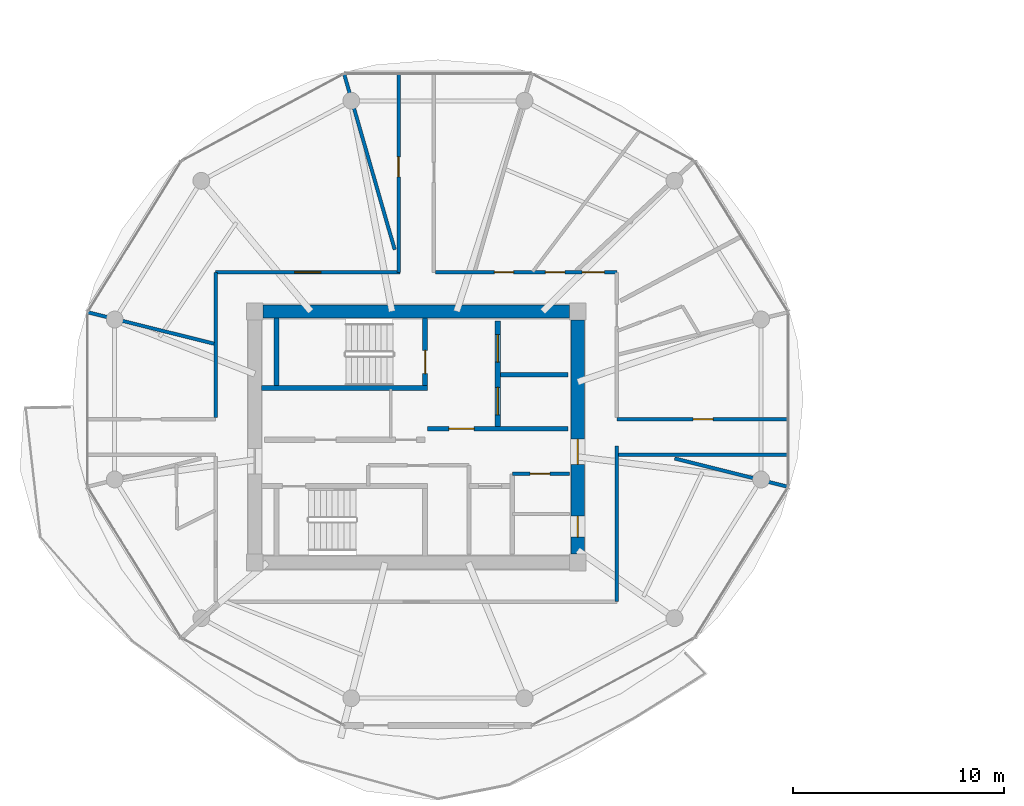
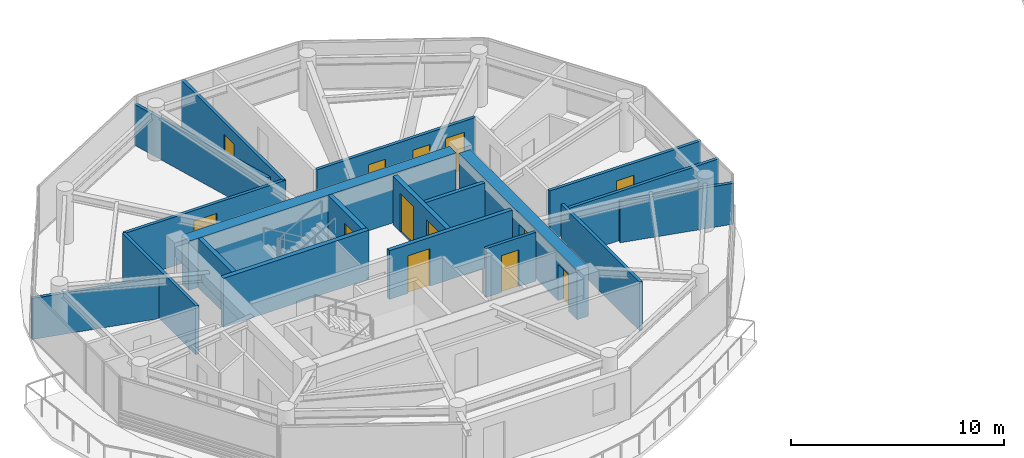
# One storey, part 13 of 22: 19 walls, 13 doors, 13 openings.
"""IFC4 building model written with IfcOpenShell, lengths in metres."""

from ifc_helpers import new_model, si_unit, direction, frame, frame_2d, origin, place, context, subcontext, project, spatial, rectangle, extrude, source, transform, mapped, material, layer, layer_set, type_object, type_shapes, element, fill, save


model = new_model("IFC4")

# Units and contexts
model_context = context("Model", 3, precision=1e-05, world=origin(), true_north=direction((0.0, 1.0)))
body_context = subcontext(model_context, "Body", "Model", "MODEL_VIEW")
ifc_project = project(units=[si_unit("LENGTHUNIT", "METRE"), si_unit("AREAUNIT", "SQUARE_METRE"), si_unit("VOLUMEUNIT", "CUBIC_METRE"), si_unit("PLANEANGLEUNIT", "RADIAN"), si_unit("MASSUNIT", "GRAM", prefix="KILO")], contexts=[model_context])

# Site, building, storey
site_placement = place(None, origin())
site = spatial("IfcSite", under=ifc_project, at=site_placement, CompositionType="ELEMENT")
building_placement = place(site_placement, origin())
building = spatial("IfcBuilding", under=site, at=building_placement, Name="Norrkilde Senior Care Towers", CompositionType="ELEMENT")
storey_placement = place(building_placement, frame((0.0, 0.0, 167.85009765625)))
storey = spatial("IfcBuildingStorey", under=building, at=storey_placement, Name="L52", CompositionType="ELEMENT", Elevation=167.85009765625)

# Wall
ifc_material_1 = material(Name="Concrete C50/60", Category="concrete")
ifc_layer_1 = layer(ifc_material_1, 0.6201171875)
ifc_layer_set_1 = layer_set([ifc_layer_1], Name="Concrete C50/60")
wall_type_1 = type_object("IfcWallType", Name="Core Shear Wall Z3 620", PredefinedType="SHEAR", material=ifc_layer_set_1)
shared_shape_1 = source(origin(), body_context, "Body", "SweptSolid", [
    extrude(rectangle(XDim=14.5, YDim=0.6201171875, at=frame_2d((7.25, 0.0))), origin(), (0.0, 0.0, 1.0), 2.809814453125),
])
wall_1_placement = place(storey_placement, frame((-35.25, 5.949951171875, 0.0), z_axis=(0.0, 0.0, 1.0), x_axis=(1.0, 0.0, 0.0)))
element("IfcWall", 1, at=wall_1_placement, inside=storey, type_object=wall_type_1, Name="L52 Core W North Shear Wall", PredefinedType="SHEAR", context=body_context, shape_type="MappedRepresentation", body=[
    mapped(shared_shape_1, transform((0.0, 0.0, 0.0), x_axis=(1.0, 0.0, 0.0), y_axis=(0.0, 1.0, 0.0), z_axis=(0.0, 0.0, 1.0), scale=1.0)),
])

# Wall, openings, doors
shared_shape_2 = source(origin(), body_context, "Body", "SweptSolid", [
    extrude(rectangle(XDim=11.10009765625, YDim=0.6201171875, at=frame_2d((5.550048828125, 0.0))), origin(), (0.0, 0.0, 1.0), 2.809814453125),
])
type_shapes(wall_type_1, [shared_shape_1, shared_shape_2])
wall_2_placement = place(storey_placement, frame((-20.35009765625, 5.550048828125, 0.0), z_axis=(0.0, 0.0, 1.0), x_axis=(0.0, -1.0, 0.0)))
wall_2 = element("IfcWall", 2, at=wall_2_placement, inside=storey, type_object=wall_type_1, Name="L52 Core W East Shear Wall", PredefinedType="SHEAR", context=body_context, shape_type="MappedRepresentation", body=[
    mapped(shared_shape_2, transform((0.0, 0.0, 0.0), x_axis=(1.0, 0.0, 0.0), y_axis=(0.0, 1.0, 0.0), z_axis=(0.0, 0.0, 1.0), scale=1.0)),
])
opening_1_placement = place(wall_2_placement, frame((5.64990234375, 0.0, 0.0)))
opening_1 = element("IfcOpeningElement", 3, at=opening_1_placement, cuts=wall_2, Name="Opening D-04", PredefinedType="OPENING", context=body_context, shape_type="SweptSolid", body=[
    extrude(rectangle(XDim=1.199951171875, YDim=2.14990234375, at=frame_2d((0.60009765625, 1.074951171875))), frame((0.0, 0.320068359375, 0.0), z_axis=(0.0, -1.0, 0.0), x_axis=(1.0, 0.0, 0.0)), (0.0, 0.0, 1.0), 0.64013671875),
])
opening_2_placement = place(wall_2_placement, frame((9.300048828125, 0.0, 0.0)))
opening_2 = element("IfcOpeningElement", 4, at=opening_2_placement, cuts=wall_2, Name="Opening D-10", PredefinedType="OPENING", context=body_context, shape_type="SweptSolid", body=[
    extrude(rectangle(XDim=1.0, YDim=2.10009765625, at=frame_2d((0.5, 1.050048828125))), frame((0.0, 0.320068359375, 0.0), z_axis=(0.0, -1.0, 0.0), x_axis=(1.0, 0.0, 0.0)), (0.0, 0.0, 1.0), 0.64013671875),
])
ifc_material_2 = material(Name="Galvanised Painted Steel", Category="steel")
door_type_1 = type_object("IfcDoorType", Name="Firefighting Lobby Fire Door 1200x2150", OperationType="NOTDEFINED", PredefinedType="DOOR", material=ifc_material_2)
shared_shape_3 = source(origin(), body_context, "Body", "SweptSolid", [
    extrude(rectangle(XDim=1.199951171875, YDim=2.14990234375, at=frame_2d((0.60009765625, 1.074951171875))), frame((0.0, 0.02490234375, 0.0), z_axis=(0.0, -1.0, 0.0), x_axis=(1.0, 0.0, 0.0)), (0.0, 0.0, 1.0), 0.050048828125),
])
type_shapes(door_type_1, [shared_shape_3])
door_1_placement = place(opening_1_placement, frame((1.199951171875, 0.0, 0.0), z_axis=(0.0, 0.0, 1.0), x_axis=(-1.0, 0.0, 0.0)))
door_1 = element("IfcDoor", 5, at=door_1_placement, inside=storey, type_object=door_type_1, Name="L52 Core W East Portal Door", OperationType="SINGLE_SWING_RIGHT", OverallHeight=2.14990234375, OverallWidth=1.199951171875, PredefinedType="DOOR", context=body_context, shape_type="MappedRepresentation", body=[
    mapped(shared_shape_3, transform((0.0, 0.0, 0.0), x_axis=(1.0, 0.0, 0.0), y_axis=(0.0, 1.0, 0.0), z_axis=(0.0, 0.0, 1.0), scale=1.0)),
])
fill(opening_1, door_1)
door_type_2 = type_object("IfcDoorType", Name="Plant and Riser Rated Door 1000x2100", OperationType="NOTDEFINED", PredefinedType="DOOR", material=ifc_material_2)
shared_shape_4 = source(origin(), body_context, "Body", "SweptSolid", [
    extrude(rectangle(XDim=1.0, YDim=2.10009765625, at=frame_2d((0.5, 1.050048828125))), frame((0.0, 0.02490234375, 0.0), z_axis=(0.0, -1.0, 0.0), x_axis=(1.0, 0.0, 0.0)), (0.0, 0.0, 1.0), 0.050048828125),
])
type_shapes(door_type_2, [shared_shape_4])
door_2_placement = place(opening_2_placement, frame((1.0, 0.0, 0.0), z_axis=(0.0, 0.0, 1.0), x_axis=(-1.0, 0.0, 0.0)))
door_2 = element("IfcDoor", 6, at=door_2_placement, inside=storey, type_object=door_type_2, Name="L52 Ventilation Riser W Door", OperationType="SINGLE_SWING_RIGHT", OverallHeight=2.10009765625, OverallWidth=1.0, PredefinedType="DOOR", context=body_context, shape_type="MappedRepresentation", body=[
    mapped(shared_shape_4, transform((0.0, 0.0, 0.0), x_axis=(1.0, 0.0, 0.0), y_axis=(0.0, 1.0, 0.0), z_axis=(0.0, 0.0, 1.0), scale=1.0)),
])
fill(opening_2, door_2)

ifc_material_3 = material(Name="Concrete C45/55", Category="concrete")
ifc_layer_2 = layer(ifc_material_3, 0.239990234375)
ifc_layer_set_2 = layer_set([ifc_layer_2], Name="Concrete C45/55")
wall_type_2 = type_object("IfcWallType", Name="Lift and Plant Rated Enclosure Partition 240", PredefinedType="PARTITIONING", material=ifc_layer_set_2)
shared_shape_5 = source(origin(), body_context, "Body", "SweptSolid", [
    extrude(rectangle(XDim=5.0, YDim=0.239990234375, at=frame_2d((2.5, 0.0))), origin(), (0.0, 0.0, 1.0), 2.794921875),
])
type_shapes(wall_type_2, [shared_shape_5])
wall_3_placement = place(storey_placement, frame((-24.139892578125, 0.5, 0.0), z_axis=(0.0, 0.0, 1.0), x_axis=(0.0, 1.0, 0.0)))
wall_3 = element("IfcWall", 7, at=wall_3_placement, inside=storey, type_object=wall_type_2, Name="WL-INT-L52-W-FFLE", PredefinedType="PARTITIONING", context=body_context, shape_type="MappedRepresentation", body=[
    mapped(shared_shape_5, transform((0.0, 0.0, 0.0), x_axis=(1.0, 0.0, 0.0), y_axis=(0.0, 1.0, 0.0), z_axis=(0.0, 0.0, 1.0), scale=1.0)),
])
opening_3_placement = place(wall_3_placement, frame((3.050048828125, 0.0, 0.0)))
opening_3 = element("IfcOpeningElement", 8, at=opening_3_placement, cuts=wall_3, Name="Opening LD-02", PredefinedType="OPENING", context=body_context, shape_type="SweptSolid", body=[
    extrude(rectangle(XDim=1.300048828125, YDim=2.199951171875, at=frame_2d((0.64990234375, 1.10009765625))), frame((0.0, 0.1298828125, 0.0), z_axis=(0.0, -1.0, 0.0), x_axis=(1.0, 0.0, 0.0)), (0.0, 0.0, 1.0), 0.260009765625),
])
opening_4_placement = place(wall_3_placement, frame((0.550048828125, 0.0, 0.0)))
opening_4 = element("IfcOpeningElement", 9, at=opening_4_placement, cuts=wall_3, Name="Opening LD-02", PredefinedType="OPENING", context=body_context, shape_type="SweptSolid", body=[
    extrude(rectangle(XDim=1.300048828125, YDim=2.199951171875, at=frame_2d((0.64990234375, 1.10009765625))), frame((0.0, 0.1298828125, 0.0), z_axis=(0.0, -1.0, 0.0), x_axis=(1.0, 0.0, 0.0)), (0.0, 0.0, 1.0), 0.260009765625),
])
ifc_material_4 = material(Name="Stainless Steel", Category="steel")
door_type_3 = type_object("IfcDoorType", Name="Stretcher and FFL Landing Sliding Door 1300x2200", OperationType="NOTDEFINED", PredefinedType="DOOR", material=ifc_material_4)
shared_shape_6 = source(origin(), body_context, "Body", "SweptSolid", [
    extrude(rectangle(XDim=1.300048828125, YDim=2.199951171875, at=frame_2d((0.64990234375, 1.10009765625))), frame((0.0, 0.02490234375, 0.0), z_axis=(0.0, -1.0, 0.0), x_axis=(1.0, 0.0, 0.0)), (0.0, 0.0, 1.0), 0.050048828125),
])
type_shapes(door_type_3, [shared_shape_6])
door_3_placement = place(opening_3_placement, origin())
door_3 = element("IfcDoor", 10, at=door_3_placement, inside=storey, type_object=door_type_3, Name="L52 Firefighting Lift W1 Landing Door", OperationType="SLIDING_TO_LEFT", OverallHeight=2.199951171875, OverallWidth=1.300048828125, PredefinedType="DOOR", context=body_context, shape_type="MappedRepresentation", body=[
    mapped(shared_shape_6, transform((0.0, 0.0, 0.0), x_axis=(1.0, 0.0, 0.0), y_axis=(0.0, 1.0, 0.0), z_axis=(0.0, 0.0, 1.0), scale=1.0)),
])
fill(opening_3, door_3)
door_4_placement = place(opening_4_placement, origin())
door_4 = element("IfcDoor", 11, at=door_4_placement, inside=storey, type_object=door_type_3, Name="L52 Stretcher Lift W1 Landing Door", OperationType="SLIDING_TO_RIGHT", OverallHeight=2.199951171875, OverallWidth=1.300048828125, PredefinedType="DOOR", context=body_context, shape_type="MappedRepresentation", body=[
    mapped(shared_shape_6, transform((0.0, 0.0, 0.0), x_axis=(1.0, 0.0, 0.0), y_axis=(0.0, 1.0, 0.0), z_axis=(0.0, 0.0, 1.0), scale=1.0)),
])
fill(opening_4, door_4)

# Wall
ifc_layer_3 = layer(ifc_material_3, 0.199951171875)
ifc_layer_set_3 = layer_set([ifc_layer_3], Name="Concrete C45/55")
wall_type_3 = type_object("IfcWallType", Name="Shaft Division and Plant Partition 200", PredefinedType="PARTITIONING", material=ifc_layer_set_3)
shared_shape_7 = source(origin(), body_context, "Body", "SweptSolid", [
    extrude(rectangle(XDim=3.199951171875, YDim=0.199951171875, at=frame_2d((1.60009765625, 0.0))), origin(), (0.0, 0.0, 1.0), 2.794921875),
])
type_shapes(wall_type_3, [shared_shape_7])
wall_4_placement = place(storey_placement, frame((-24.0, 2.949951171875, 0.0), z_axis=(0.0, 0.0, 1.0), x_axis=(1.0, 0.0, 0.0)))
element("IfcWall", 12, at=wall_4_placement, inside=storey, type_object=wall_type_3, Name="WL-INT-L52-W-FFLDIV", PredefinedType="PARTITIONING", context=body_context, shape_type="MappedRepresentation", body=[
    mapped(shared_shape_7, transform((0.0, 0.0, 0.0), x_axis=(1.0, 0.0, 0.0), y_axis=(0.0, 1.0, 0.0), z_axis=(0.0, 0.0, 1.0), scale=1.0)),
])

# Wall, opening, door
ifc_layer_4 = layer(ifc_material_3, 0.2099609375)
ifc_layer_set_4 = layer_set([ifc_layer_4], Name="Concrete C45/55")
wall_type_4 = type_object("IfcWallType", Name="Firefighting Lobby Wall 210", PredefinedType="PARTITIONING", material=ifc_layer_set_4)
shared_shape_8 = source(origin(), body_context, "Body", "SweptSolid", [
    extrude(rectangle(XDim=6.659912109375, YDim=0.2099609375, at=frame_2d((3.330078125, 0.0))), origin(), (0.0, 0.0, 1.0), 2.794921875),
])
type_shapes(wall_type_4, [shared_shape_8])
wall_5_placement = place(storey_placement, frame((-27.4599609375, 0.389892578125, 0.0), z_axis=(0.0, 0.0, 1.0), x_axis=(1.0, 0.0, 0.0)))
wall_5 = element("IfcWall", 13, at=wall_5_placement, inside=storey, type_object=wall_type_4, Name="WL-INT-L52-W-FFLS", PredefinedType="PARTITIONING", context=body_context, shape_type="MappedRepresentation", body=[
    mapped(shared_shape_8, transform((0.0, 0.0, 0.0), x_axis=(1.0, 0.0, 0.0), y_axis=(0.0, 1.0, 0.0), z_axis=(0.0, 0.0, 1.0), scale=1.0)),
])
opening_5_placement = place(wall_5_placement, frame((1.0, 0.0, 0.0)))
opening_5 = element("IfcOpeningElement", 14, at=opening_5_placement, cuts=wall_5, Name="Opening D-04", PredefinedType="OPENING", context=body_context, shape_type="SweptSolid", body=[
    extrude(rectangle(XDim=1.199951171875, YDim=2.14990234375, at=frame_2d((0.60009765625, 1.074951171875))), frame((0.0, 0.114990234375, 0.0), z_axis=(0.0, -1.0, 0.0), x_axis=(1.0, 0.0, 0.0)), (0.0, 0.0, 1.0), 0.22998046875),
])
door_5_placement = place(opening_5_placement, frame((1.199951171875, 0.0, 0.0), z_axis=(0.0, 0.0, 1.0), x_axis=(-1.0, 0.0, 0.0)))
door_5 = element("IfcDoor", 15, at=door_5_placement, inside=storey, type_object=door_type_1, Name="L52 Firefighting Lobby W Door", OperationType="SINGLE_SWING_LEFT", OverallHeight=2.14990234375, OverallWidth=1.199951171875, PredefinedType="DOOR", context=body_context, shape_type="MappedRepresentation", body=[
    mapped(shared_shape_3, transform((0.0, 0.0, 0.0), x_axis=(1.0, 0.0, 0.0), y_axis=(0.0, 1.0, 0.0), z_axis=(0.0, 0.0, 1.0), scale=1.0)),
])
fill(opening_5, door_5)

ifc_material_5 = material(Name="Gypsum Acoustic Board")
ifc_layer_5 = layer(ifc_material_5, 0.1650390625)
ifc_layer_set_5 = layer_set([ifc_layer_5], Name="Gypsum Acoustic Board")
wall_type_5 = type_object("IfcWallType", Name="Corridor Rated Partition 165", PredefinedType="PARTITIONING", material=ifc_layer_set_5)
shared_shape_9 = source(origin(), body_context, "Body", "SweptSolid", [
    extrude(rectangle(XDim=2.699951171875, YDim=0.1650390625, at=frame_2d((1.35009765625, 0.0))), origin(), (0.0, 0.0, 1.0), 2.794921875),
])
wall_6_placement = place(storey_placement, frame((-23.449951171875, -1.75, 0.0), z_axis=(0.0, 0.0, 1.0), x_axis=(1.0, 0.0, 0.0)))
wall_6 = element("IfcWall", 16, at=wall_6_placement, inside=storey, type_object=wall_type_5, Name="WL-INT-L52-W-CSN", PredefinedType="PARTITIONING", context=body_context, shape_type="MappedRepresentation", body=[
    mapped(shared_shape_9, transform((0.0, 0.0, 0.0), x_axis=(1.0, 0.0, 0.0), y_axis=(0.0, 1.0, 0.0), z_axis=(0.0, 0.0, 1.0), scale=1.0)),
])
opening_6_placement = place(wall_6_placement, frame((0.85009765625, 0.0, 0.0)))
opening_6 = element("IfcOpeningElement", 17, at=opening_6_placement, cuts=wall_6, Name="Opening D-12", PredefinedType="OPENING", context=body_context, shape_type="SweptSolid", body=[
    extrude(rectangle(XDim=0.925048828125, YDim=2.10009765625, at=frame_2d((0.46240234375, 1.050048828125))), frame((0.0, 0.092529296875, 0.0), z_axis=(0.0, -1.0, 0.0), x_axis=(1.0, 0.0, 0.0)), (0.0, 0.0, 1.0), 0.18505859375),
])
door_type_4 = type_object("IfcDoorType", Name="Core Wet Room Rated Door 925x2100", OperationType="NOTDEFINED", PredefinedType="DOOR", material=ifc_material_2)
shared_shape_10 = source(origin(), body_context, "Body", "SweptSolid", [
    extrude(rectangle(XDim=0.925048828125, YDim=2.10009765625, at=frame_2d((0.46240234375, 1.050048828125))), frame((0.0, 0.02490234375, 0.0), z_axis=(0.0, -1.0, 0.0), x_axis=(1.0, 0.0, 0.0)), (0.0, 0.0, 1.0), 0.050048828125),
])
type_shapes(door_type_4, [shared_shape_10])
door_6_placement = place(opening_6_placement, origin())
door_6 = element("IfcDoor", 18, at=door_6_placement, inside=storey, type_object=door_type_4, Name="L52 Staff WC W Door", OperationType="SINGLE_SWING_LEFT", OverallHeight=2.10009765625, OverallWidth=0.925048828125, PredefinedType="DOOR", context=body_context, shape_type="MappedRepresentation", body=[
    mapped(shared_shape_10, transform((0.0, 0.0, 0.0), x_axis=(1.0, 0.0, 0.0), y_axis=(0.0, 1.0, 0.0), z_axis=(0.0, 0.0, 1.0), scale=1.0)),
])
fill(opening_6, door_6)

shared_shape_11 = source(origin(), body_context, "Body", "SweptSolid", [
    extrude(rectangle(XDim=8.719482421875, YDim=0.1650390625, at=frame_2d((4.35986328125, 0.0))), origin(), (0.0, 0.0, 1.0), 2.794921875),
])
wall_7_placement = place(storey_placement, frame((-37.5, 7.800048828125, 0.0), z_axis=(0.0, 0.0, 1.0), x_axis=(1.0, 0.0, 0.0)))
wall_7 = element("IfcWall", 19, at=wall_7_placement, inside=storey, type_object=wall_type_5, Name="WL-INT-L52-W-CRW-N-0", PredefinedType="PARTITIONING", context=body_context, shape_type="MappedRepresentation", body=[
    mapped(shared_shape_11, transform((0.0, 0.0, 0.0), x_axis=(1.0, 0.0, 0.0), y_axis=(0.0, 1.0, 0.0), z_axis=(0.0, 0.0, 1.0), scale=1.0)),
])
opening_7_placement = place(wall_7_placement, frame((3.73486328125, 0.0, 0.0)))
opening_7 = element("IfcOpeningElement", 20, at=opening_7_placement, cuts=wall_7, Name="Opening D-05", PredefinedType="OPENING", context=body_context, shape_type="SweptSolid", body=[
    extrude(rectangle(XDim=1.25, YDim=2.199951171875, at=frame_2d((0.625, 1.10009765625))), frame((0.0, 0.092529296875, 0.0), z_axis=(0.0, -1.0, 0.0), x_axis=(1.0, 0.0, 0.0)), (0.0, 0.0, 1.0), 0.18505859375),
])
ifc_material_6 = material(Name="Nordic Ash Timber", Category="wood")
door_type_5 = type_object("IfcDoorType", Name="Care Bedroom Bariatric Door 1250x2200", OperationType="NOTDEFINED", PredefinedType="DOOR", material=ifc_material_6)
shared_shape_12 = source(origin(), body_context, "Body", "SweptSolid", [
    extrude(rectangle(XDim=1.25, YDim=2.199951171875, at=frame_2d((0.625, 1.10009765625))), frame((0.0, 0.02490234375, 0.0), z_axis=(0.0, -1.0, 0.0), x_axis=(1.0, 0.0, 0.0)), (0.0, 0.0, 1.0), 0.050048828125),
])
type_shapes(door_type_5, [shared_shape_12])
door_7_placement = place(opening_7_placement, frame((1.25, 0.0, 0.0), z_axis=(0.0, 0.0, 1.0), x_axis=(-1.0, 0.0, 0.0)))
door_7 = element("IfcDoor", 21, at=door_7_placement, inside=storey, type_object=door_type_5, Name="L52 Geriatric Rehabilitation Clinic Door", OperationType="SINGLE_SWING_RIGHT", OverallHeight=2.199951171875, OverallWidth=1.25, PredefinedType="DOOR", context=body_context, shape_type="MappedRepresentation", body=[
    mapped(shared_shape_12, transform((0.0, 0.0, 0.0), x_axis=(1.0, 0.0, 0.0), y_axis=(0.0, 1.0, 0.0), z_axis=(0.0, 0.0, 1.0), scale=1.0)),
])
fill(opening_7, door_7)

# Walls
ifc_layer_6 = layer(ifc_material_3, 0.239990234375)
ifc_layer_set_6 = layer_set([ifc_layer_6], Name="Concrete C45/55")
wall_type_6 = type_object("IfcWallType", Name="Shaft and Stair Enclosure Wall 240", PredefinedType="PARTITIONING", material=ifc_layer_set_6)
shared_shape_13 = source(origin(), body_context, "Body", "SweptSolid", [
    extrude(rectangle(XDim=7.880126953125, YDim=0.239990234375, at=frame_2d((3.93994140625, 0.0))), origin(), (0.0, 0.0, 1.0), 2.809814453125),
])
wall_8_placement = place(storey_placement, frame((-35.340087890625, 2.330078125, 0.0), z_axis=(0.0, 0.0, 1.0), x_axis=(1.0, 0.0, 0.0)))
element("IfcWall", 22, at=wall_8_placement, inside=storey, type_object=wall_type_6, Name="WL-INT-L52-W-ST1S", PredefinedType="PARTITIONING", context=body_context, shape_type="MappedRepresentation", body=[
    mapped(shared_shape_13, transform((0.0, 0.0, 0.0), x_axis=(1.0, 0.0, 0.0), y_axis=(0.0, 1.0, 0.0), z_axis=(0.0, 0.0, 1.0), scale=1.0)),
])
shared_shape_14 = source(origin(), body_context, "Body", "SweptSolid", [
    extrude(rectangle(XDim=3.18994140625, YDim=0.239990234375, at=frame_2d((1.594970703125, 0.0))), origin(), (0.0, 0.0, 1.0), 2.809814453125),
])
type_shapes(wall_type_6, [shared_shape_13, shared_shape_14])
wall_9_placement = place(storey_placement, frame((-34.6201171875, 2.449951171875, 0.0), z_axis=(0.0, 0.0, 1.0), x_axis=(0.0, 1.0, 0.0)))
element("IfcWall", 23, at=wall_9_placement, inside=storey, type_object=wall_type_6, Name="WL-INT-L52-W-ST1W", PredefinedType="PARTITIONING", context=body_context, shape_type="MappedRepresentation", body=[
    mapped(shared_shape_14, transform((0.0, 0.0, 0.0), x_axis=(1.0, 0.0, 0.0), y_axis=(0.0, 1.0, 0.0), z_axis=(0.0, 0.0, 1.0), scale=1.0)),
])

# Wall, opening, door
wall_10_placement = place(storey_placement, frame((-27.580078125, 2.449951171875, 0.0), z_axis=(0.0, 0.0, 1.0), x_axis=(0.0, 1.0, 0.0)))
wall_10 = element("IfcWall", 24, at=wall_10_placement, inside=storey, type_object=wall_type_6, Name="WL-INT-L52-W-ST1E", PredefinedType="PARTITIONING", context=body_context, shape_type="MappedRepresentation", body=[
    mapped(shared_shape_14, transform((0.0, 0.0, 0.0), x_axis=(1.0, 0.0, 0.0), y_axis=(0.0, 1.0, 0.0), z_axis=(0.0, 0.0, 1.0), scale=1.0)),
])
opening_8_placement = place(wall_10_placement, frame((0.550048828125, 0.0, 0.0)))
opening_8 = element("IfcOpeningElement", 25, at=opening_8_placement, cuts=wall_10, Name="Opening D-03", PredefinedType="OPENING", context=body_context, shape_type="SweptSolid", body=[
    extrude(rectangle(XDim=1.10009765625, YDim=2.14990234375, at=frame_2d((0.550048828125, 1.074951171875))), frame((0.0, 0.1298828125, 0.0), z_axis=(0.0, -1.0, 0.0), x_axis=(1.0, 0.0, 0.0)), (0.0, 0.0, 1.0), 0.260009765625),
])
door_type_6 = type_object("IfcDoorType", Name="Stairwell Protected Fire Door 1100x2150", OperationType="NOTDEFINED", PredefinedType="DOOR", material=ifc_material_2)
shared_shape_15 = source(origin(), body_context, "Body", "SweptSolid", [
    extrude(rectangle(XDim=1.10009765625, YDim=2.14990234375, at=frame_2d((0.550048828125, 1.074951171875))), frame((0.0, 0.02490234375, 0.0), z_axis=(0.0, -1.0, 0.0), x_axis=(1.0, 0.0, 0.0)), (0.0, 0.0, 1.0), 0.050048828125),
])
type_shapes(door_type_6, [shared_shape_15])
door_8_placement = place(opening_8_placement, origin())
door_8 = element("IfcDoor", 26, at=door_8_placement, inside=storey, type_object=door_type_6, Name="L52 Stair W1 Fire Door", OperationType="SINGLE_SWING_LEFT", OverallHeight=2.14990234375, OverallWidth=1.10009765625, PredefinedType="DOOR", context=body_context, shape_type="MappedRepresentation", body=[
    mapped(shared_shape_15, transform((0.0, 0.0, 0.0), x_axis=(1.0, 0.0, 0.0), y_axis=(0.0, 1.0, 0.0), z_axis=(0.0, 0.0, 1.0), scale=1.0)),
])
fill(opening_8, door_8)

# Walls
shared_shape_16 = source(origin(), body_context, "Body", "SweptSolid", [
    extrude(rectangle(XDim=8.695068359375, YDim=0.1650390625, at=frame_2d((4.34765625, 0.0))), origin(), (0.0, 0.0, 1.0), 2.344970703125),
])
wall_11_placement = place(storey_placement, frame((-29.02001953125, 8.875, 0.0), z_axis=(0.0, 0.0, 1.0), x_axis=(-0.276797231892, 0.960928349263, 0.0)))
element("IfcWall", 27, at=wall_11_placement, inside=storey, type_object=wall_type_5, Name="WL-INT-L52-W-DEM-03-0", PredefinedType="PARTITIONING", context=body_context, shape_type="MappedRepresentation", body=[
    mapped(shared_shape_16, transform((0.0, 0.0, 0.0), x_axis=(1.0, 0.0, 0.0), y_axis=(0.0, 1.0, 0.0), z_axis=(0.0, 0.0, 1.0), scale=1.0)),
])
shared_shape_17 = source(origin(), body_context, "Body", "SweptSolid", [
    extrude(rectangle(XDim=6.192626953125, YDim=0.1650390625, at=frame_2d((3.09619140625, 0.0))), origin(), (0.0, 0.0, 1.0), 2.344970703125),
])
wall_12_placement = place(storey_placement, frame((-37.580078125, 4.418701171875, 0.0), z_axis=(0.0, 0.0, 1.0), x_axis=(-0.970309243466, 0.241867674657, 0.0)))
element("IfcWall", 28, at=wall_12_placement, inside=storey, type_object=wall_type_5, Name="WL-INT-L52-W-DEM-05-0", PredefinedType="PARTITIONING", context=body_context, shape_type="MappedRepresentation", body=[
    mapped(shared_shape_17, transform((0.0, 0.0, 0.0), x_axis=(1.0, 0.0, 0.0), y_axis=(0.0, 1.0, 0.0), z_axis=(0.0, 0.0, 1.0), scale=1.0)),
])
shared_shape_18 = source(origin(), body_context, "Body", "SweptSolid", [
    extrude(rectangle(XDim=5.564453125, YDim=0.1650390625, at=frame_2d((2.7822265625, 0.0))), origin(), (0.0, 0.0, 1.0), 2.344970703125),
])
wall_13_placement = place(storey_placement, frame((-15.76025390625, -1.02001953125, 0.0), z_axis=(0.0, 0.0, 1.0), x_axis=(0.970315176167, -0.241843872984, 0.0)))
element("IfcWall", 29, at=wall_13_placement, inside=storey, type_object=wall_type_5, Name="WL-INT-L52-W-DEM-11-0", PredefinedType="PARTITIONING", context=body_context, shape_type="MappedRepresentation", body=[
    mapped(shared_shape_18, transform((0.0, 0.0, 0.0), x_axis=(1.0, 0.0, 0.0), y_axis=(0.0, 1.0, 0.0), z_axis=(0.0, 0.0, 1.0), scale=1.0)),
])

# Wall, openings, doors
shared_shape_19 = source(origin(), body_context, "Body", "SweptSolid", [
    extrude(rectangle(XDim=8.580078125, YDim=0.1650390625, at=frame_2d((4.2900390625, 0.0))), origin(), (0.0, 0.0, 1.0), 2.794921875),
])
wall_14_placement = place(storey_placement, frame((-27.080078125, 7.800048828125, 0.0), z_axis=(0.0, 0.0, 1.0), x_axis=(1.0, 0.0, 0.0)))
wall_14 = element("IfcWall", 30, at=wall_14_placement, inside=storey, type_object=wall_type_5, Name="WL-INT-L52-W-CRW-N-1", PredefinedType="PARTITIONING", context=body_context, shape_type="MappedRepresentation", body=[
    mapped(shared_shape_19, transform((0.0, 0.0, 0.0), x_axis=(1.0, 0.0, 0.0), y_axis=(0.0, 1.0, 0.0), z_axis=(0.0, 0.0, 1.0), scale=1.0)),
])
opening_9_placement = place(wall_14_placement, frame((6.93994140625, 0.0, 0.0)))
opening_9 = element("IfcOpeningElement", 31, at=opening_9_placement, cuts=wall_14, Name="Opening D-06", PredefinedType="OPENING", context=body_context, shape_type="SweptSolid", body=[
    extrude(rectangle(XDim=1.050048828125, YDim=2.14990234375, at=frame_2d((0.52490234375, 1.074951171875))), frame((0.0, 0.092529296875, 0.0), z_axis=(0.0, -1.0, 0.0), x_axis=(1.0, 0.0, 0.0)), (0.0, 0.0, 1.0), 0.18505859375),
])
opening_10_placement = place(wall_14_placement, frame((5.197265625, 0.0, 0.0)))
opening_10 = element("IfcOpeningElement", 32, at=opening_10_placement, cuts=wall_14, Name="Opening D-08", PredefinedType="OPENING", context=body_context, shape_type="SweptSolid", body=[
    extrude(rectangle(XDim=0.919921875, YDim=2.10009765625, at=frame_2d((0.4599609375, 1.050048828125))), frame((0.0, 0.092529296875, 0.0), z_axis=(0.0, -1.0, 0.0), x_axis=(1.0, 0.0, 0.0)), (0.0, 0.0, 1.0), 0.18505859375),
])
opening_11_placement = place(wall_14_placement, frame((2.777587890625, 0.0, 0.0)))
opening_11 = element("IfcOpeningElement", 33, at=opening_11_placement, cuts=wall_14, Name="Opening D-08", PredefinedType="OPENING", context=body_context, shape_type="SweptSolid", body=[
    extrude(rectangle(XDim=0.919921875, YDim=2.10009765625, at=frame_2d((0.4599609375, 1.050048828125))), frame((0.0, 0.092529296875, 0.0), z_axis=(0.0, -1.0, 0.0), x_axis=(1.0, 0.0, 0.0)), (0.0, 0.0, 1.0), 0.18505859375),
])
door_type_7 = type_object("IfcDoorType", Name="Accessible Wet Room Door 920x2100", OperationType="NOTDEFINED", PredefinedType="DOOR", material=ifc_material_6)
shared_shape_20 = source(origin(), body_context, "Body", "SweptSolid", [
    extrude(rectangle(XDim=0.919921875, YDim=2.10009765625, at=frame_2d((0.4599609375, 1.050048828125))), frame((0.0, 0.02490234375, 0.0), z_axis=(0.0, -1.0, 0.0), x_axis=(1.0, 0.0, 0.0)), (0.0, 0.0, 1.0), 0.050048828125),
])
type_shapes(door_type_7, [shared_shape_20])
door_9_placement = place(opening_10_placement, frame((0.919921875, 0.0, 0.0), z_axis=(0.0, 0.0, 1.0), x_axis=(-1.0, 0.0, 0.0)))
door_9 = element("IfcDoor", 34, at=door_9_placement, inside=storey, type_object=door_type_7, Name="L52 Accessible Restroom Door", OperationType="SINGLE_SWING_RIGHT", OverallHeight=2.10009765625, OverallWidth=0.919921875, PredefinedType="DOOR", context=body_context, shape_type="MappedRepresentation", body=[
    mapped(shared_shape_20, transform((0.0, 0.0, 0.0), x_axis=(1.0, 0.0, 0.0), y_axis=(0.0, 1.0, 0.0), z_axis=(0.0, 0.0, 1.0), scale=1.0)),
])
fill(opening_10, door_9)
door_10_placement = place(opening_11_placement, frame((0.919921875, 0.0, 0.0), z_axis=(0.0, 0.0, 1.0), x_axis=(-1.0, 0.0, 0.0)))
door_10 = element("IfcDoor", 35, at=door_10_placement, inside=storey, type_object=door_type_7, Name="L52 Public Restroom Door", OperationType="SINGLE_SWING_LEFT", OverallHeight=2.10009765625, OverallWidth=0.919921875, PredefinedType="DOOR", context=body_context, shape_type="MappedRepresentation", body=[
    mapped(shared_shape_20, transform((0.0, 0.0, 0.0), x_axis=(1.0, 0.0, 0.0), y_axis=(0.0, 1.0, 0.0), z_axis=(0.0, 0.0, 1.0), scale=1.0)),
])
fill(opening_11, door_10)
door_type_8 = type_object("IfcDoorType", Name="Apartment Entrance Fire Door 1050x2150", OperationType="NOTDEFINED", PredefinedType="DOOR", material=ifc_material_6)
shared_shape_21 = source(origin(), body_context, "Body", "SweptSolid", [
    extrude(rectangle(XDim=1.050048828125, YDim=2.14990234375, at=frame_2d((0.52490234375, 1.074951171875))), frame((0.0, 0.02490234375, 0.0), z_axis=(0.0, -1.0, 0.0), x_axis=(1.0, 0.0, 0.0)), (0.0, 0.0, 1.0), 0.050048828125),
])
type_shapes(door_type_8, [shared_shape_21])
door_11_placement = place(opening_9_placement, frame((1.050048828125, 0.0, 0.0), z_axis=(0.0, 0.0, 1.0), x_axis=(-1.0, 0.0, 0.0)))
door_11 = element("IfcDoor", 36, at=door_11_placement, inside=storey, type_object=door_type_8, Name="L52 Therapy Day Lounge 00 Door", OperationType="SINGLE_SWING_RIGHT", OverallHeight=2.14990234375, OverallWidth=1.050048828125, PredefinedType="DOOR", context=body_context, shape_type="MappedRepresentation", body=[
    mapped(shared_shape_21, transform((0.0, 0.0, 0.0), x_axis=(1.0, 0.0, 0.0), y_axis=(0.0, 1.0, 0.0), z_axis=(0.0, 0.0, 1.0), scale=1.0)),
])
fill(opening_9, door_11)

# Walls
shared_shape_22 = source(origin(), body_context, "Body", "SweptSolid", [
    extrude(rectangle(XDim=6.880126953125, YDim=0.1650390625, at=frame_2d((3.43994140625, 0.0))), origin(), (0.0, 0.0, 1.0), 2.794921875),
])
wall_15_placement = place(storey_placement, frame((-37.5, 0.919921875, 0.0), z_axis=(0.0, 0.0, 1.0), x_axis=(0.0, 1.0, 0.0)))
element("IfcWall", 37, at=wall_15_placement, inside=storey, type_object=wall_type_5, Name="WL-INT-L52-W-CRW-W-1", PredefinedType="PARTITIONING", context=body_context, shape_type="MappedRepresentation", body=[
    mapped(shared_shape_22, transform((0.0, 0.0, 0.0), x_axis=(1.0, 0.0, 0.0), y_axis=(0.0, 1.0, 0.0), z_axis=(0.0, 0.0, 1.0), scale=1.0)),
])
shared_shape_23 = source(origin(), body_context, "Body", "SweptSolid", [
    extrude(rectangle(XDim=7.364501953125, YDim=0.1650390625, at=frame_2d((3.68212890625, 0.0))), origin(), (0.0, 0.0, 1.0), 2.794921875),
])
wall_16_placement = place(storey_placement, frame((-18.5, -0.435546875, 0.0), z_axis=(0.0, 0.0, 1.0), x_axis=(0.0, -1.0, 0.0)))
element("IfcWall", 38, at=wall_16_placement, inside=storey, type_object=wall_type_5, Name="WL-INT-L52-W-CRW-E-1", PredefinedType="PARTITIONING", context=body_context, shape_type="MappedRepresentation", body=[
    mapped(shared_shape_23, transform((0.0, 0.0, 0.0), x_axis=(1.0, 0.0, 0.0), y_axis=(0.0, 1.0, 0.0), z_axis=(0.0, 0.0, 1.0), scale=1.0)),
])

# Wall, opening, door
shared_shape_24 = source(origin(), body_context, "Body", "SweptSolid", [
    extrude(rectangle(XDim=9.480224609375, YDim=0.1650390625, at=frame_2d((4.740234375, 0.0))), origin(), (0.0, 0.0, 1.0), 2.794921875),
])
wall_17_placement = place(storey_placement, frame((-28.840087890625, 7.800048828125, 0.0), z_axis=(0.0, 0.0, 1.0), x_axis=(0.0, 1.0, 0.0)))
wall_17 = element("IfcWall", 39, at=wall_17_placement, inside=storey, type_object=wall_type_5, Name="WL-INT-L52-W-SPK-N1-0", PredefinedType="PARTITIONING", context=body_context, shape_type="MappedRepresentation", body=[
    mapped(shared_shape_24, transform((0.0, 0.0, 0.0), x_axis=(1.0, 0.0, 0.0), y_axis=(0.0, 1.0, 0.0), z_axis=(0.0, 0.0, 1.0), scale=1.0)),
])
opening_12_placement = place(wall_17_placement, frame((4.5205078125, 0.0, 0.0)))
opening_12 = element("IfcOpeningElement", 40, at=opening_12_placement, cuts=wall_17, Name="Opening D-07", PredefinedType="OPENING", context=body_context, shape_type="SweptSolid", body=[
    extrude(rectangle(XDim=0.949951171875, YDim=2.10009765625, at=frame_2d((0.47509765625, 1.050048828125))), frame((0.0, 0.092529296875, 0.0), z_axis=(0.0, -1.0, 0.0), x_axis=(1.0, 0.0, 0.0)), (0.0, 0.0, 1.0), 0.18505859375),
])
door_type_9 = type_object("IfcDoorType", Name="Internal Suite Bedroom Door 950x2100", OperationType="NOTDEFINED", PredefinedType="DOOR", material=ifc_material_6)
shared_shape_25 = source(origin(), body_context, "Body", "SweptSolid", [
    extrude(rectangle(XDim=0.949951171875, YDim=2.10009765625, at=frame_2d((0.47509765625, 1.050048828125))), frame((0.0, 0.02490234375, 0.0), z_axis=(0.0, -1.0, 0.0), x_axis=(1.0, 0.0, 0.0)), (0.0, 0.0, 1.0), 0.050048828125),
])
type_shapes(door_type_9, [shared_shape_25])
door_12_placement = place(opening_12_placement, frame((0.949951171875, 0.0, 0.0), z_axis=(0.0, 0.0, 1.0), x_axis=(-1.0, 0.0, 0.0)))
door_12 = element("IfcDoor", 41, at=door_12_placement, inside=storey, type_object=door_type_9, Name="L52 Sun Reading Lounge 3 Door", OperationType="SINGLE_SWING_RIGHT", OverallHeight=2.10009765625, OverallWidth=0.949951171875, PredefinedType="DOOR", context=body_context, shape_type="MappedRepresentation", body=[
    mapped(shared_shape_25, transform((0.0, 0.0, 0.0), x_axis=(1.0, 0.0, 0.0), y_axis=(0.0, 1.0, 0.0), z_axis=(0.0, 0.0, 1.0), scale=1.0)),
])
fill(opening_12, door_12)

shared_shape_26 = source(origin(), body_context, "Body", "SweptSolid", [
    extrude(rectangle(XDim=8.18896484375, YDim=0.1650390625, at=frame_2d((4.094482421875, 0.0))), origin(), (0.0, 0.0, 1.0), 2.794921875),
])
type_shapes(wall_type_5, [shared_shape_9, shared_shape_11, shared_shape_16, shared_shape_17, shared_shape_18, shared_shape_19, shared_shape_22, shared_shape_23, shared_shape_24, shared_shape_26])
wall_18_placement = place(storey_placement, frame((-18.5, 0.840087890625, 0.0), z_axis=(0.0, 0.0, 1.0), x_axis=(1.0, 0.0, 0.0)))
wall_18 = element("IfcWall", 42, at=wall_18_placement, inside=storey, type_object=wall_type_5, Name="WL-INT-L52-W-SPK-E1-0", PredefinedType="PARTITIONING", context=body_context, shape_type="MappedRepresentation", body=[
    mapped(shared_shape_26, transform((0.0, 0.0, 0.0), x_axis=(1.0, 0.0, 0.0), y_axis=(0.0, 1.0, 0.0), z_axis=(0.0, 0.0, 1.0), scale=1.0)),
])
opening_13_placement = place(wall_18_placement, frame((3.619384765625, 0.0, 0.0)))
opening_13 = element("IfcOpeningElement", 43, at=opening_13_placement, cuts=wall_18, Name="Opening D-07", PredefinedType="OPENING", context=body_context, shape_type="SweptSolid", body=[
    extrude(rectangle(XDim=0.949951171875, YDim=2.10009765625, at=frame_2d((0.47509765625, 1.050048828125))), frame((0.0, 0.092529296875, 0.0), z_axis=(0.0, -1.0, 0.0), x_axis=(1.0, 0.0, 0.0)), (0.0, 0.0, 1.0), 0.18505859375),
])
door_13_placement = place(opening_13_placement, frame((0.949951171875, 0.0, 0.0), z_axis=(0.0, 0.0, 1.0), x_axis=(-1.0, 0.0, 0.0)))
door_13 = element("IfcDoor", 44, at=door_13_placement, inside=storey, type_object=door_type_9, Name="L52 Sun Reading Lounge 5 Door", OperationType="SINGLE_SWING_RIGHT", OverallHeight=2.10009765625, OverallWidth=0.949951171875, PredefinedType="DOOR", context=body_context, shape_type="MappedRepresentation", body=[
    mapped(shared_shape_25, transform((0.0, 0.0, 0.0), x_axis=(1.0, 0.0, 0.0), y_axis=(0.0, 1.0, 0.0), z_axis=(0.0, 0.0, 1.0), scale=1.0)),
])
fill(opening_13, door_13)

# Wall
wall_19_placement = place(storey_placement, frame((-10.31103515625, -0.840087890625, 0.0), z_axis=(0.0, 0.0, 1.0), x_axis=(-1.0, 0.0, 0.0)))
element("IfcWall", 45, at=wall_19_placement, inside=storey, type_object=wall_type_5, Name="WL-INT-L52-W-SPK-E2-0", PredefinedType="PARTITIONING", context=body_context, shape_type="MappedRepresentation", body=[
    mapped(shared_shape_26, transform((0.0, 0.0, 0.0), x_axis=(1.0, 0.0, 0.0), y_axis=(0.0, 1.0, 0.0), z_axis=(0.0, 0.0, 1.0), scale=1.0)),
])

save(model, "model.ifc")
